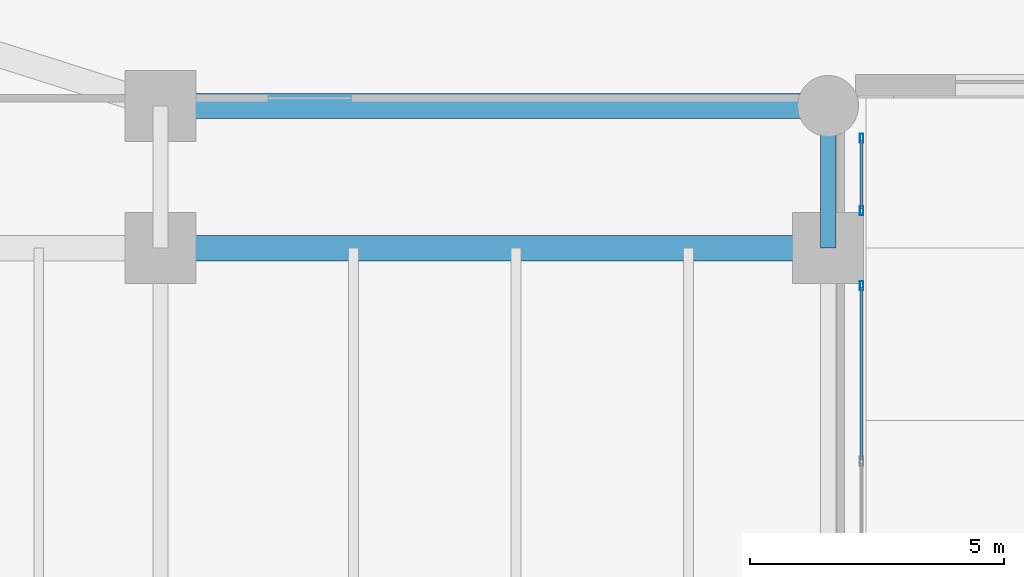
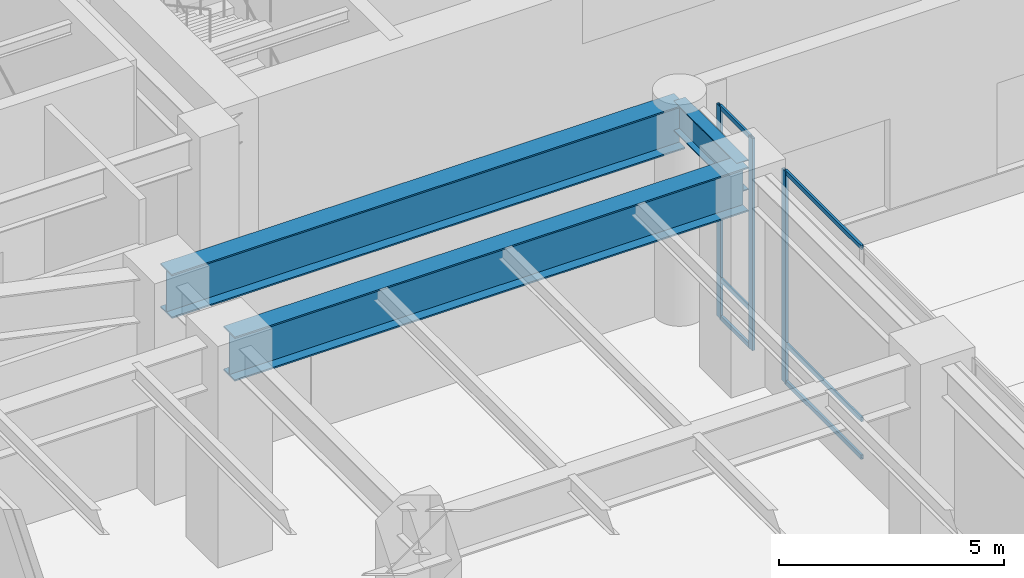
# One storey, part 7 of 28: 9 members, 3 beams, 2 elements without a shape of their own.
"""IFC4 building model written with IfcOpenShell, lengths in metres."""

from ifc_helpers import new_model, si_unit, direction, frame, origin, origin_2d, place, context, subcontext, project, spatial, hollow_rectangle, i_section, extrude, source, transform, mapped, material, layer, layer_set, material_profile, profile_set, type_object, type_shapes, element, aggregate, save


model = new_model("IFC4")

# Units and contexts
model_context = context("Model", 3, precision=1e-05, world=origin(), true_north=direction((0.0, 1.0)))
body_context = subcontext(model_context, "Body", "Model", "MODEL_VIEW")
ifc_project = project(units=[si_unit("LENGTHUNIT", "METRE"), si_unit("AREAUNIT", "SQUARE_METRE"), si_unit("VOLUMEUNIT", "CUBIC_METRE"), si_unit("PLANEANGLEUNIT", "RADIAN"), si_unit("MASSUNIT", "GRAM", prefix="KILO")], contexts=[model_context])

# Site, building, storey
site_placement = place(None, origin())
site = spatial("IfcSite", under=ifc_project, at=site_placement, CompositionType="ELEMENT")
building_placement = place(site_placement, origin())
building = spatial("IfcBuilding", under=site, at=building_placement, Name="Tolvann Quenvar Hotel", CompositionType="ELEMENT")
storey_placement = place(building_placement, origin())
storey = spatial("IfcBuildingStorey", under=building, at=storey_placement, Name="L00", CompositionType="ELEMENT", Elevation=0.0)

# Beams
ifc_material_1 = material(Name="Steel Grade 350", Category="steel")
ifc_material_profile_1 = material_profile(ifc_material_1, i_section(OverallWidth=0.5, OverallDepth=1.199951171875, WebThickness=0.01611328125, FlangeThickness=0.0400390625, at=origin_2d()), Name="1200WB455")
ifc_profile_set_1 = profile_set([ifc_material_profile_1], Name="Steel Grade 350")
beam_type_1 = type_object("IfcBeamType", Name="BM_TG_1200WB455", PredefinedType="USERDEFINED", material=ifc_profile_set_1)
shared_shape_1 = source(origin(), body_context, "Body", "SweptSolid", [
    extrude(i_section(OverallWidth=0.5, OverallDepth=1.199951171875, WebThickness=0.01611328125, FlangeThickness=0.0400390625, at=origin_2d()), origin(), (0.0, 0.0, 1.0), 13.14990234375),
])
type_shapes(beam_type_1, [shared_shape_1])
for number, where, z_axis, x_axis, name in (
    (1, (5.60009765625, 24.39990234375, 5.139892578125), (1.0, 0.0, 0.0), (0.0, 1.0, 0.0), "BM-L00-GW2-4"),
    (2, (5.60009765625, 27.199951171875, 5.139892578125), (1.0, 0.0, 0.0), (0.0, 1.0, 0.0), "BM-L00-GW2-5"),
):
    element("IfcBeam", number, at=place(storey_placement, frame(where, z_axis=z_axis, x_axis=x_axis)), inside=storey, type_object=beam_type_1, Name=name, ObjectType="TRANSFER GIRDER", PredefinedType="USERDEFINED", context=body_context, shape_type="MappedRepresentation", body=[
        mapped(shared_shape_1, transform((0.0, 0.0, 0.0), x_axis=(1.0, 0.0, 0.0), y_axis=(0.0, 1.0, 0.0), z_axis=(0.0, 0.0, 1.0), scale=1.0)),
    ])
ifc_material_profile_2 = material_profile(ifc_material_1, i_section(OverallWidth=0.300048828125, OverallDepth=0.81591796875, WebThickness=0.010009765625, FlangeThickness=0.028076171875, at=origin_2d()), Name="800WB192")
ifc_profile_set_2 = profile_set([ifc_material_profile_2], Name="Steel Grade 350")
beam_type_2 = type_object("IfcBeamType", Name="BM_GIRD_800WB192", PredefinedType="BEAM", material=ifc_profile_set_2)
shared_shape_2 = source(origin(), body_context, "Body", "SweptSolid", [
    extrude(i_section(OverallWidth=0.300048828125, OverallDepth=0.81591796875, WebThickness=0.010009765625, FlangeThickness=0.028076171875, at=origin_2d()), origin(), (0.0, 0.0, 1.0), 2.800048828125),
])
type_shapes(beam_type_2, [shared_shape_2])
beam_placement = place(storey_placement, frame((18.75, 24.39990234375, 5.33203125), z_axis=(0.0, 1.0, 0.0), x_axis=(-1.0, 0.0, 0.0)))
element("IfcBeam", 3, at=beam_placement, inside=storey, type_object=beam_type_2, Name="BM-L00-NS-APW-3", PredefinedType="BEAM", context=body_context, shape_type="MappedRepresentation", body=[
    mapped(shared_shape_2, transform((0.0, 0.0, 0.0), x_axis=(1.0, 0.0, 0.0), y_axis=(0.0, 1.0, 0.0), z_axis=(0.0, 0.0, 1.0), scale=1.0)),
])

# Curtain wall, member
ifc_material_2 = material(Name="Thermally broken anodised architectural aluminium 6063-T6 and laminated low-E glass", Category="aluminium")
ifc_layer = layer(ifc_material_2, 0.179931640625)
ifc_layer_set = layer_set([ifc_layer], Name="Thermally broken anodised architectural aluminium 6063-T6 and laminated low-E glass")
curtain_wall_type = type_object("IfcCurtainWallType", Name="CW_SYS_ARCH_01", PredefinedType="USERDEFINED", material=ifc_layer_set)
curtain_wall_1_placement = place(storey_placement, origin())
curtain_wall_1 = element("IfcCurtainWall", 4, at=curtain_wall_1_placement, inside=storey, type_object=curtain_wall_type, Name="Curtain Wall CW-ARCH-01 (CWR-L00-E01-S4)", ObjectType="UNITISED CURTAIN WALL", PredefinedType="USERDEFINED")
ifc_material_3 = material(Name="Anodised architectural aluminium 6063-T6 framing", Category="aluminium")
ifc_material_profile_3 = material_profile(ifc_material_3, hollow_rectangle(XDim=0.070068359375, YDim=0.179931640625, WallThickness=0.00390625, at=origin_2d()), Name="180x70x4RHS")
ifc_profile_set_3 = profile_set([ifc_material_profile_3], Name="Anodised architectural aluminium 6063-T6 framing")
member_type_1 = type_object("IfcMemberType", Name="CW_MULL_180x70", PredefinedType="MULLION", material=ifc_profile_set_3)
shared_shape_3 = source(origin(), body_context, "Body", "SweptSolid", [
    extrude(hollow_rectangle(XDim=0.070068359375, YDim=0.179931640625, WallThickness=0.00390625, at=origin_2d()), origin(), (0.0, 0.0, 1.0), 5.739990234375),
])
type_shapes(member_type_1, [shared_shape_3])
member_1_placement = place(storey_placement, frame((19.409912109375, 23.660888671875, 0.0), z_axis=(0.0, 0.0, 1.0), x_axis=(-1.0, 0.0, 0.0)))
member_1 = element("IfcMember", 5, at=member_1_placement, type_object=member_type_1, Name="CW-ARCH-01 mullion 3", PredefinedType="MULLION", context=body_context, shape_type="MappedRepresentation", body=[
    mapped(shared_shape_3, transform((0.0, 0.0, 0.0), x_axis=(1.0, 0.0, 0.0), y_axis=(0.0, 1.0, 0.0), z_axis=(0.0, 0.0, 1.0), scale=1.0)),
])

# Curtain wall, members
curtain_wall_2_placement = place(storey_placement, origin())
curtain_wall_2 = element("IfcCurtainWall", 6, at=curtain_wall_2_placement, inside=storey, type_object=curtain_wall_type, Name="Curtain Wall CW-ARCH-01 (CWR-L00-E01-S5)", ObjectType="UNITISED CURTAIN WALL", PredefinedType="USERDEFINED")
member_2_placement = place(storey_placement, frame((19.409912109375, 25.138916015625, 0.0), z_axis=(0.0, 0.0, 1.0), x_axis=(-1.0, 0.0, 0.0)))
member_2 = element("IfcMember", 7, at=member_2_placement, type_object=member_type_1, Name="CW-ARCH-01 mullion 1", PredefinedType="MULLION", context=body_context, shape_type="MappedRepresentation", body=[
    mapped(shared_shape_3, transform((0.0, 0.0, 0.0), x_axis=(1.0, 0.0, 0.0), y_axis=(0.0, 1.0, 0.0), z_axis=(0.0, 0.0, 1.0), scale=1.0)),
])
member_3_placement = place(storey_placement, frame((19.409912109375, 26.56103515625, 0.0), z_axis=(0.0, 0.0, 1.0), x_axis=(-1.0, 0.0, 0.0)))
member_3 = element("IfcMember", 8, at=member_3_placement, type_object=member_type_1, Name="CW-ARCH-01 mullion 2", PredefinedType="MULLION", context=body_context, shape_type="MappedRepresentation", body=[
    mapped(shared_shape_3, transform((0.0, 0.0, 0.0), x_axis=(1.0, 0.0, 0.0), y_axis=(0.0, 1.0, 0.0), z_axis=(0.0, 0.0, 1.0), scale=1.0)),
])

# Member
ifc_material_profile_4 = material_profile(ifc_material_3, hollow_rectangle(XDim=0.06005859375, YDim=0.1201171875, WallThickness=0.00341796875, at=origin_2d()), Name="120x60x3.5RHS")
ifc_profile_set_4 = profile_set([ifc_material_profile_4], Name="Anodised architectural aluminium 6063-T6 framing")
member_type_2 = type_object("IfcMemberType", Name="CW_TRAN_120x60", PredefinedType="USERDEFINED", material=ifc_profile_set_4)
shared_shape_4 = source(origin(), body_context, "Body", "SweptSolid", [
    extrude(hollow_rectangle(XDim=0.06005859375, YDim=0.1201171875, WallThickness=0.00341796875, at=origin_2d()), origin(), (0.0, 0.0, 1.0), 3.390869140625),
])
member_4_placement = place(storey_placement, frame((19.409912109375, 20.235107421875, 0.030029296875), z_axis=(0.0, 1.0, 0.0), x_axis=(-1.0, 0.0, 0.0)))
member_4 = element("IfcMember", 9, at=member_4_placement, type_object=member_type_2, Name="CW-ARCH-01 transom 2.1", ObjectType="TRANSOM", PredefinedType="USERDEFINED", context=body_context, shape_type="MappedRepresentation", body=[
    mapped(shared_shape_4, transform((0.0, 0.0, 0.0), x_axis=(1.0, 0.0, 0.0), y_axis=(0.0, 1.0, 0.0), z_axis=(0.0, 0.0, 1.0), scale=1.0)),
])

member_5_placement = place(storey_placement, frame((19.409912109375, 20.235107421875, 1.050048828125), z_axis=(0.0, 1.0, 0.0), x_axis=(-1.0, 0.0, 0.0)))
member_5 = element("IfcMember", 10, at=member_5_placement, type_object=member_type_2, Name="CW-ARCH-01 transom 2.2", ObjectType="TRANSOM", PredefinedType="USERDEFINED", context=body_context, shape_type="MappedRepresentation", body=[
    mapped(shared_shape_4, transform((0.0, 0.0, 0.0), x_axis=(1.0, 0.0, 0.0), y_axis=(0.0, 1.0, 0.0), z_axis=(0.0, 0.0, 1.0), scale=1.0)),
])

member_6_placement = place(storey_placement, frame((19.409912109375, 20.235107421875, 5.7099609375), z_axis=(0.0, 1.0, 0.0), x_axis=(-1.0, 0.0, 0.0)))
member_6 = element("IfcMember", 11, at=member_6_placement, type_object=member_type_2, Name="CW-ARCH-01 transom 2.3", ObjectType="TRANSOM", PredefinedType="USERDEFINED", context=body_context, shape_type="MappedRepresentation", body=[
    mapped(shared_shape_4, transform((0.0, 0.0, 0.0), x_axis=(1.0, 0.0, 0.0), y_axis=(0.0, 1.0, 0.0), z_axis=(0.0, 0.0, 1.0), scale=1.0)),
])

aggregate(curtain_wall_1, [member_1, member_4, member_5, member_6])

shared_shape_5 = source(origin(), body_context, "Body", "SweptSolid", [
    extrude(hollow_rectangle(XDim=0.06005859375, YDim=0.1201171875, WallThickness=0.00341796875, at=origin_2d()), origin(), (0.0, 0.0, 1.0), 1.351806640625),
])
type_shapes(member_type_2, [shared_shape_4, shared_shape_5])
member_7_placement = place(storey_placement, frame((19.409912109375, 25.174072265625, 0.030029296875), z_axis=(0.0, 1.0, 0.0), x_axis=(-1.0, 0.0, 0.0)))
member_7 = element("IfcMember", 12, at=member_7_placement, type_object=member_type_2, Name="CW-ARCH-01 transom 1.1", ObjectType="TRANSOM", PredefinedType="USERDEFINED", context=body_context, shape_type="MappedRepresentation", body=[
    mapped(shared_shape_5, transform((0.0, 0.0, 0.0), x_axis=(1.0, 0.0, 0.0), y_axis=(0.0, 1.0, 0.0), z_axis=(0.0, 0.0, 1.0), scale=1.0)),
])

member_8_placement = place(storey_placement, frame((19.409912109375, 25.174072265625, 1.050048828125), z_axis=(0.0, 1.0, 0.0), x_axis=(-1.0, 0.0, 0.0)))
member_8 = element("IfcMember", 13, at=member_8_placement, type_object=member_type_2, Name="CW-ARCH-01 transom 1.2", ObjectType="TRANSOM", PredefinedType="USERDEFINED", context=body_context, shape_type="MappedRepresentation", body=[
    mapped(shared_shape_5, transform((0.0, 0.0, 0.0), x_axis=(1.0, 0.0, 0.0), y_axis=(0.0, 1.0, 0.0), z_axis=(0.0, 0.0, 1.0), scale=1.0)),
])

member_9_placement = place(storey_placement, frame((19.409912109375, 25.174072265625, 5.7099609375), z_axis=(0.0, 1.0, 0.0), x_axis=(-1.0, 0.0, 0.0)))
member_9 = element("IfcMember", 14, at=member_9_placement, type_object=member_type_2, Name="CW-ARCH-01 transom 1.3", ObjectType="TRANSOM", PredefinedType="USERDEFINED", context=body_context, shape_type="MappedRepresentation", body=[
    mapped(shared_shape_5, transform((0.0, 0.0, 0.0), x_axis=(1.0, 0.0, 0.0), y_axis=(0.0, 1.0, 0.0), z_axis=(0.0, 0.0, 1.0), scale=1.0)),
])

aggregate(curtain_wall_2, [member_2, member_3, member_7, member_8, member_9])

save(model, "model.ifc")
